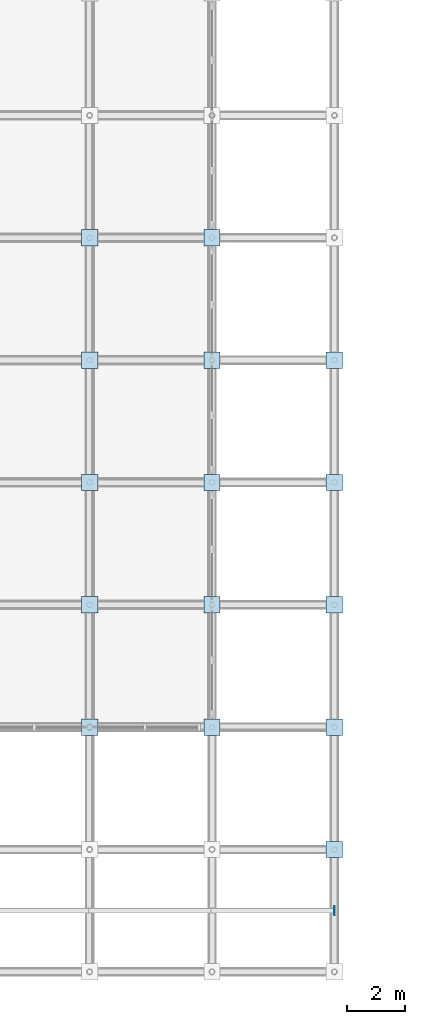
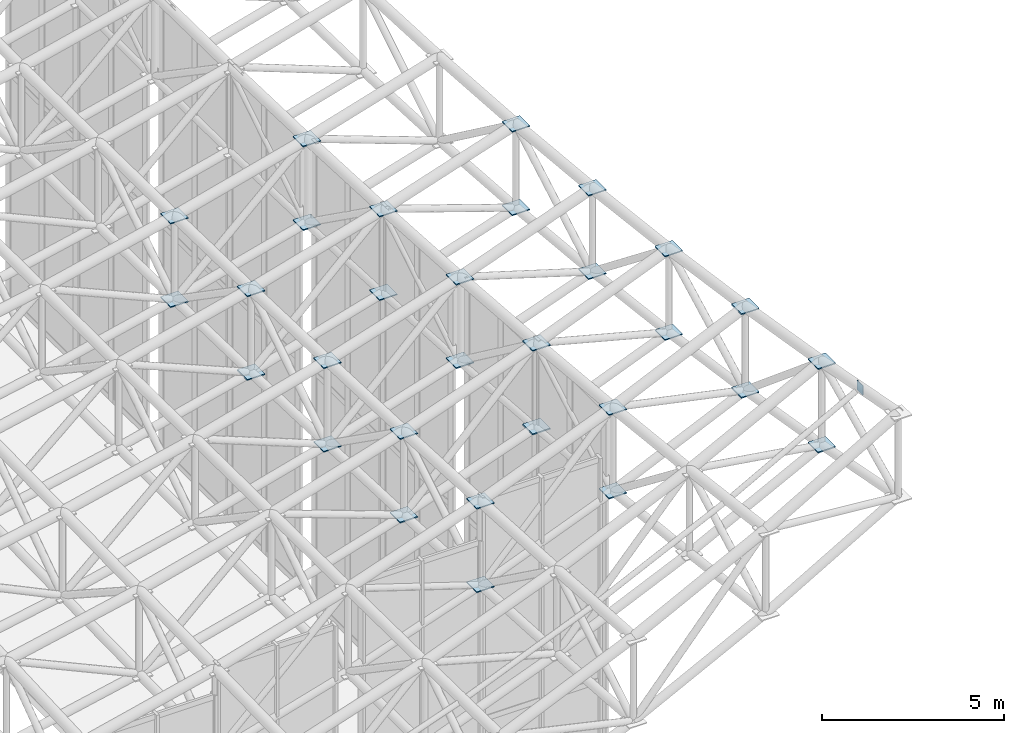
# One storey, part 70 of 93: 31 plates.
"""IFC4 building model written with IfcOpenShell, lengths in metres."""

from ifc_helpers import new_model, si_unit, direction, frame, origin, origin_2d, place, context, subcontext, project, spatial, rectangle, extrude, material, layer, layer_set, type_object, element, save


model = new_model("IFC4")

# Units and contexts
model_context = context("Model", 3, precision=1e-05, world=origin(), true_north=direction((0.0, 1.0)))
body_context = subcontext(model_context, "Body", "Model", "MODEL_VIEW")
ifc_project = project(units=[si_unit("LENGTHUNIT", "METRE"), si_unit("AREAUNIT", "SQUARE_METRE"), si_unit("VOLUMEUNIT", "CUBIC_METRE"), si_unit("PLANEANGLEUNIT", "RADIAN"), si_unit("MASSUNIT", "GRAM", prefix="KILO")], contexts=[model_context])

# Site, building, storey
site_placement = place(None, origin())
site = spatial("IfcSite", under=ifc_project, at=site_placement, CompositionType="ELEMENT")
building_placement = place(site_placement, origin())
building = spatial("IfcBuilding", under=site, at=building_placement, Name="Cumbredor Promenade Congress Hotel", CompositionType="ELEMENT")
storey_placement = place(building_placement, frame((0.0, 0.0, 21.840087890625)))
storey = spatial("IfcBuildingStorey", under=building, at=storey_placement, Name="L06", CompositionType="ELEMENT", Elevation=21.840087890625)

# Plates
ifc_material = material(Name="Steel ASTM A572 Grade 50", Category="steel")
ifc_layer_1 = layer(ifc_material, 0.02001953125, Name="Steel ASTM A572 Grade 50", Category="steel")
ifc_layer_set_1 = layer_set([ifc_layer_1], Name="Steel ASTM A572 Grade 50")
plate_type_1 = type_object("IfcPlateType", Name="Hollow Section End Cap Plate CP-05", PredefinedType="USERDEFINED", material=ifc_layer_set_1)
plate_placement = place(storey_placement, frame((71.406982421875, 2.10009765625, 19.31640625), z_axis=(0.0, 0.0, 1.0), x_axis=(1.0, 0.0, 0.0)))
element("IfcPlate", 1, at=plate_placement, inside=storey, type_object=plate_type_1, Name="Plenary Congress Hall Roof Eave Purlin 18.1 End Cap Plate", ObjectType="CAP PLATE", PredefinedType="USERDEFINED", context=body_context, shape_type="SweptSolid", body=[
    extrude(rectangle(XDim=0.02001953125, YDim=0.320068359375, at=origin_2d()), origin(), (0.0, 0.0, 1.0), 0.320068359375),
])
ifc_layer_2 = layer(ifc_material, 0.035888671875, Name="Steel ASTM A572 Grade 50", Category="steel")
ifc_layer_set_2 = layer_set([ifc_layer_2], Name="Steel ASTM A572 Grade 50")
plate_type_2 = type_object("IfcPlateType", Name="Space Frame Node Assembly ND-01", PredefinedType="USERDEFINED", material=ifc_layer_set_2)
for number, where, z_axis, x_axis, name in (
    (2, (63.0, 8.39990234375, 14.77880859375), (0.0, 0.0, 1.0), (1.0, 0.0, 0.0), "Plenary Congress Hall Space Frame Top Node 17.3"),
    (3, (63.0, 8.39990234375, 11.97900390625), (0.0, 0.0, 1.0), (1.0, 0.0, 0.0), "Plenary Congress Hall Space Frame Bottom Node 17.3"),
    (4, (63.0, 12.60009765625, 14.56982421875), (0.0, 0.0, 1.0), (1.0, 0.0, 0.0), "Plenary Congress Hall Space Frame Top Node 17.4"),
    (5, (63.0, 12.60009765625, 11.76953125), (0.0, 0.0, 1.0), (1.0, 0.0, 0.0), "Plenary Congress Hall Space Frame Bottom Node 17.4"),
    (6, (63.0, 16.800048828125, 14.3955078125), (0.0, 0.0, 1.0), (1.0, 0.0, 0.0), "Plenary Congress Hall Space Frame Top Node 17.5"),
    (7, (63.0, 16.800048828125, 11.59521484375), (0.0, 0.0, 1.0), (1.0, 0.0, 0.0), "Plenary Congress Hall Space Frame Bottom Node 17.5"),
    (8, (63.0, 21.0, 14.25537109375), (0.0, 0.0, 1.0), (1.0, 0.0, 0.0), "Plenary Congress Hall Space Frame Top Node 17.6"),
    (9, (63.0, 21.0, 11.45556640625), (0.0, 0.0, 1.0), (1.0, 0.0, 0.0), "Plenary Congress Hall Space Frame Bottom Node 17.6"),
    (10, (63.0, 25.199951171875, 14.15087890625), (0.0, 0.0, 1.0), (1.0, 0.0, 0.0), "Plenary Congress Hall Space Frame Top Node 17.7"),
    (11, (63.0, 25.199951171875, 11.3505859375), (0.0, 0.0, 1.0), (1.0, 0.0, 0.0), "Plenary Congress Hall Space Frame Bottom Node 17.7"),
    (12, (67.199951171875, 8.39990234375, 16.45068359375), (0.0, 0.0, 1.0), (1.0, 0.0, 0.0), "Plenary Congress Hall Space Frame Top Node 18.3"),
    (13, (67.199951171875, 8.39990234375, 13.650390625), (0.0, 0.0, 1.0), (1.0, 0.0, 0.0), "Plenary Congress Hall Space Frame Bottom Node 18.3"),
    (14, (67.199951171875, 12.60009765625, 16.05517578125), (0.0, 0.0, 1.0), (1.0, 0.0, 0.0), "Plenary Congress Hall Space Frame Top Node 18.4"),
    (15, (67.199951171875, 12.60009765625, 13.25537109375), (0.0, 0.0, 1.0), (1.0, 0.0, 0.0), "Plenary Congress Hall Space Frame Bottom Node 18.4"),
    (16, (67.199951171875, 16.800048828125, 15.7255859375), (0.0, 0.0, 1.0), (1.0, 0.0, 0.0), "Plenary Congress Hall Space Frame Top Node 18.5"),
    (17, (67.199951171875, 16.800048828125, 12.92578125), (0.0, 0.0, 1.0), (1.0, 0.0, 0.0), "Plenary Congress Hall Space Frame Bottom Node 18.5"),
    (18, (67.199951171875, 21.0, 15.46142578125), (0.0, 0.0, 1.0), (1.0, 0.0, 0.0), "Plenary Congress Hall Space Frame Top Node 18.6"),
    (19, (67.199951171875, 21.0, 12.66162109375), (0.0, 0.0, 1.0), (1.0, 0.0, 0.0), "Plenary Congress Hall Space Frame Bottom Node 18.6"),
    (20, (67.199951171875, 25.199951171875, 15.263671875), (0.0, 0.0, 1.0), (1.0, 0.0, 0.0), "Plenary Congress Hall Space Frame Top Node 18.7"),
    (21, (67.199951171875, 25.199951171875, 12.4638671875), (0.0, 0.0, 1.0), (1.0, 0.0, 0.0), "Plenary Congress Hall Space Frame Bottom Node 18.7"),
    (22, (71.39990234375, 4.199951171875, 19.0673828125), (0.0, 0.0, 1.0), (1.0, 0.0, 0.0), "Plenary Congress Hall Space Frame Top Node 19.2"),
    (23, (71.39990234375, 4.199951171875, 16.267578125), (0.0, 0.0, 1.0), (1.0, 0.0, 0.0), "Plenary Congress Hall Space Frame Bottom Node 19.2"),
    (24, (71.39990234375, 8.39990234375, 18.35791015625), (0.0, 0.0, 1.0), (1.0, 0.0, 0.0), "Plenary Congress Hall Space Frame Top Node 19.3"),
    (25, (71.39990234375, 8.39990234375, 15.55810546875), (0.0, 0.0, 1.0), (1.0, 0.0, 0.0), "Plenary Congress Hall Space Frame Bottom Node 19.3"),
    (26, (71.39990234375, 12.60009765625, 17.7490234375), (0.0, 0.0, 1.0), (1.0, 0.0, 0.0), "Plenary Congress Hall Space Frame Top Node 19.4"),
    (27, (71.39990234375, 12.60009765625, 14.94921875), (0.0, 0.0, 1.0), (1.0, 0.0, 0.0), "Plenary Congress Hall Space Frame Bottom Node 19.4"),
    (28, (71.39990234375, 16.800048828125, 17.24169921875), (0.0, 0.0, 1.0), (1.0, 0.0, 0.0), "Plenary Congress Hall Space Frame Top Node 19.5"),
    (29, (71.39990234375, 16.800048828125, 14.44140625), (0.0, 0.0, 1.0), (1.0, 0.0, 0.0), "Plenary Congress Hall Space Frame Bottom Node 19.5"),
    (30, (71.39990234375, 21.0, 16.8349609375), (0.0, 0.0, 1.0), (1.0, 0.0, 0.0), "Plenary Congress Hall Space Frame Top Node 19.6"),
    (31, (71.39990234375, 21.0, 14.03515625), (0.0, 0.0, 1.0), (1.0, 0.0, 0.0), "Plenary Congress Hall Space Frame Bottom Node 19.6"),
):
    element("IfcPlate", number, at=place(storey_placement, frame(where, z_axis=z_axis, x_axis=x_axis)), inside=storey, type_object=plate_type_2, Name=name, ObjectType="GUSSET PLATE", PredefinedType="USERDEFINED", context=body_context, shape_type="SweptSolid", body=[
        extrude(rectangle(XDim=0.56005859375, YDim=0.56005859375, at=origin_2d()), origin(), (0.0, 0.0, 1.0), 0.035888671875),
    ])

save(model, "model.ifc")
